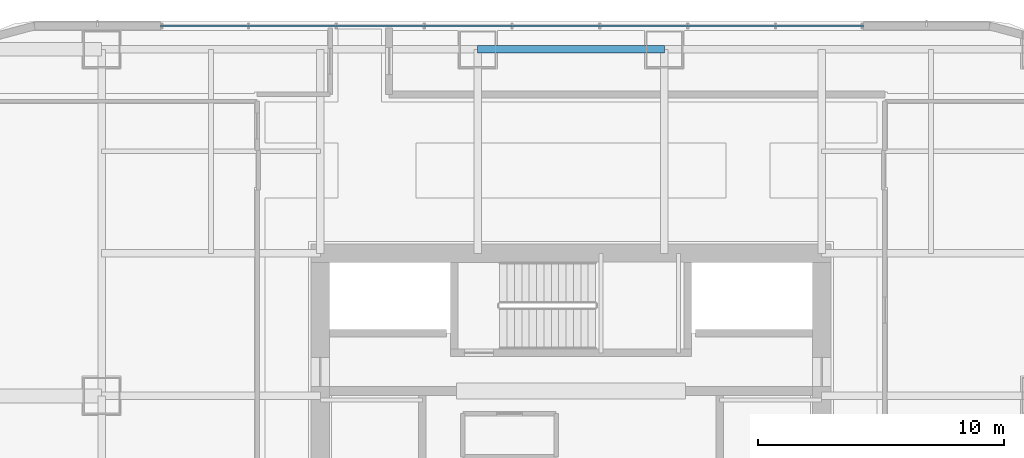
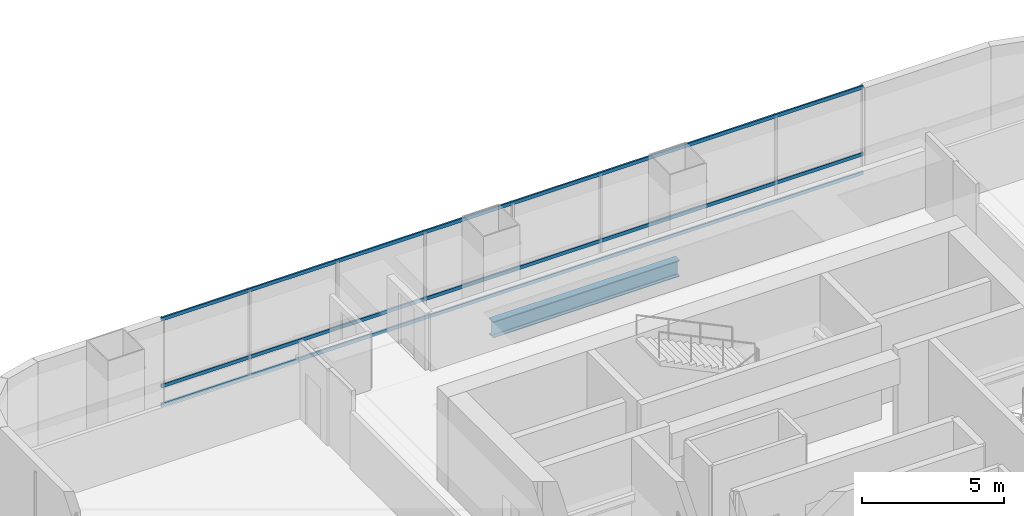
# One storey, part 21 of 45: 3 members, 1 beam, 1 element without a shape of its own.
"""IFC4 building model written with IfcOpenShell, lengths in metres."""

from ifc_helpers import new_model, si_unit, direction, frame, origin, origin_2d, place, context, subcontext, project, spatial, hollow_rectangle, i_section, extrude, material, material_profile, profile_set, type_object, element, aggregate, save


model = new_model("IFC4")

# Units and contexts
model_context = context("Model", 3, precision=1e-05, world=origin(), true_north=direction((0.0, 1.0)))
body_context = subcontext(model_context, "Body", "Model", "MODEL_VIEW")
ifc_project = project(units=[si_unit("LENGTHUNIT", "METRE"), si_unit("AREAUNIT", "SQUARE_METRE"), si_unit("VOLUMEUNIT", "CUBIC_METRE"), si_unit("PLANEANGLEUNIT", "RADIAN"), si_unit("MASSUNIT", "GRAM", prefix="KILO")], contexts=[model_context])

# Site, building, storey
site_placement = place(None, origin())
site = spatial("IfcSite", under=ifc_project, at=site_placement, CompositionType="ELEMENT")
building_placement = place(site_placement, origin())
building = spatial("IfcBuilding", under=site, at=building_placement, Name="Punatoya Terracotta Tower", CompositionType="ELEMENT")
storey_placement = place(building_placement, frame((0.0, 0.0, 56.550048828125)))
storey = spatial("IfcBuildingStorey", under=building, at=storey_placement, Name="L12", CompositionType="ELEMENT", Elevation=56.550048828125)

# Beam
ifc_material_1 = material(Name="Steel S355", Category="steel")
ifc_material_profile_1 = material_profile(ifc_material_1, i_section(OverallWidth=0.300048828125, OverallDepth=0.699951171875, WebThickness=0.01708984375, FlangeThickness=0.031982421875, FilletRadius=0.01806640625, at=origin_2d()))
ifc_profile_set_1 = profile_set([ifc_material_profile_1], Name="Steel S355")
beam_type = type_object("IfcBeamType", Name="BM-PRI-700", PredefinedType="BEAM", material=ifc_profile_set_1)
beam_placement = place(storey_placement, frame((-3.800048828125, 17.5, -0.590087890625), z_axis=(1.0, 0.0, 0.0), x_axis=(0.0, 1.0, 0.0)))
element("IfcBeam", 1, at=beam_placement, inside=storey, type_object=beam_type, Name="BM-L12-RG-N2", PredefinedType="BEAM", context=body_context, shape_type="SweptSolid", body=[
    extrude(i_section(OverallWidth=0.300048828125, OverallDepth=0.699951171875, WebThickness=0.01708984375, FlangeThickness=0.031982421875, FilletRadius=0.01806640625, at=origin_2d()), origin(), (0.0, 0.0, 1.0), 7.60009765625),
])

# Curtain wall, members
ifc_material_2 = material(Name="Aluminium 6063-T6 + Double Low-E Glass", Category="aluminium")
curtain_wall_type = type_object("IfcCurtainWallType", Name="CW-M1", PredefinedType="NOTDEFINED", material=ifc_material_2)
curtain_wall_placement = place(storey_placement, origin())
curtain_wall = element("IfcCurtainWall", 2, at=curtain_wall_placement, inside=storey, type_object=curtain_wall_type, Name="L12 Curtain Wall CW-L12-N09-1", PredefinedType="NOTDEFINED")
ifc_material_3 = material(Name="Aluminium 6063-T6", Category="aluminium")
ifc_material_profile_2 = material_profile(ifc_material_3, hollow_rectangle(XDim=0.068115234375, YDim=0.14990234375, WallThickness=0.00390625, at=origin_2d()))
ifc_profile_set_2 = profile_set([ifc_material_profile_2], Name="Aluminium 6063-T6")
member_type = type_object("IfcMemberType", Name="CW-TRN-TYP", PredefinedType="USERDEFINED", material=ifc_profile_set_2)
member_1_placement = place(storey_placement, frame((11.89990234375, 18.449951171875, 0.0400390625), z_axis=(-1.0, 0.0, 0.0), x_axis=(0.0, -1.0, 0.0)))
member_1 = element("IfcMember", 3, at=member_1_placement, type_object=member_type, Name="CW-L12-N09-1 Transom 1", ObjectType="TRANSOM", PredefinedType="USERDEFINED", context=body_context, shape_type="SweptSolid", body=[
    extrude(hollow_rectangle(XDim=0.068115234375, YDim=0.14990234375, WallThickness=0.00390625, at=origin_2d()), origin(), (0.0, 0.0, 1.0), 28.599853515625),
])
member_2_placement = place(storey_placement, frame((11.89990234375, 18.449951171875, 0.849853515625), z_axis=(-1.0, 0.0, 0.0), x_axis=(0.0, -1.0, 0.0)))
member_2 = element("IfcMember", 4, at=member_2_placement, type_object=member_type, Name="CW-L12-N09-1 Transom 2", ObjectType="TRANSOM", PredefinedType="USERDEFINED", context=body_context, shape_type="SweptSolid", body=[
    extrude(hollow_rectangle(XDim=0.068115234375, YDim=0.14990234375, WallThickness=0.00390625, at=origin_2d()), origin(), (0.0, 0.0, 1.0), 28.599853515625),
])
member_3_placement = place(storey_placement, frame((11.89990234375, 18.449951171875, 3.72998046875), z_axis=(-1.0, 0.0, 0.0), x_axis=(0.0, -1.0, 0.0)))
member_3 = element("IfcMember", 5, at=member_3_placement, type_object=member_type, Name="CW-L12-N09-1 Transom 3", ObjectType="TRANSOM", PredefinedType="USERDEFINED", context=body_context, shape_type="SweptSolid", body=[
    extrude(hollow_rectangle(XDim=0.068115234375, YDim=0.14990234375, WallThickness=0.00390625, at=origin_2d()), origin(), (0.0, 0.0, 1.0), 28.599853515625),
])
aggregate(curtain_wall, [member_1, member_2, member_3])

save(model, "model.ifc")
